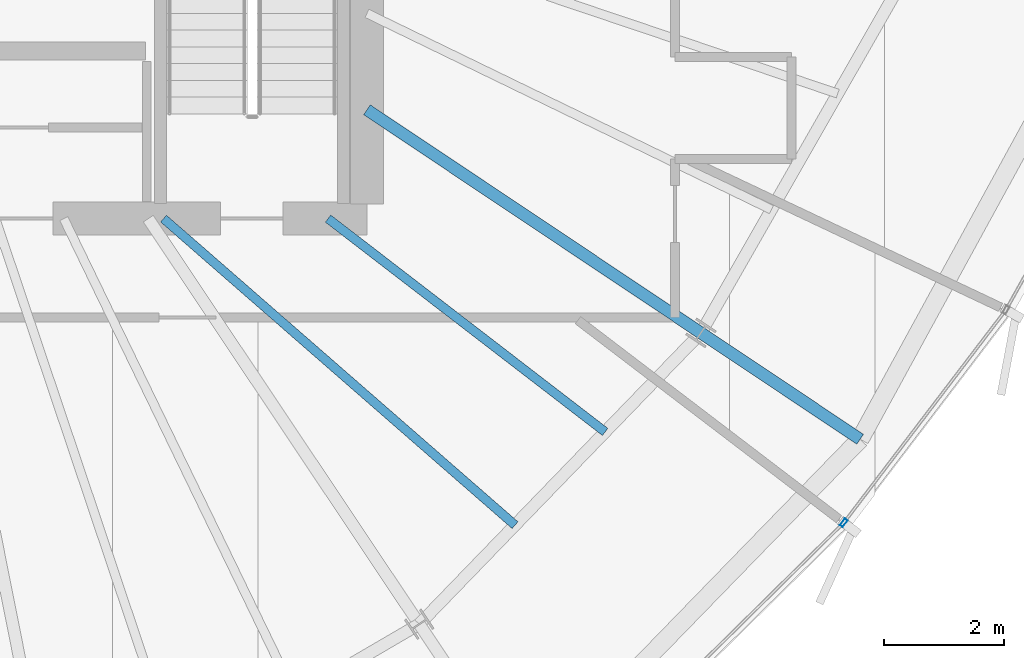
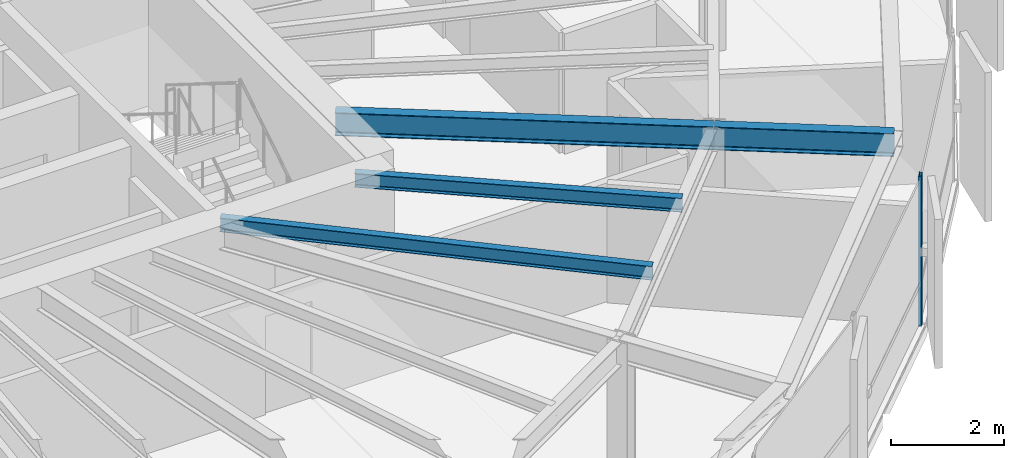
# One storey, part 15 of 36: 4 beams, 1 member, 1 element without a shape of its own.
"""IFC4 building model written with IfcOpenShell, lengths in metres."""

from ifc_helpers import new_model, si_unit, direction, frame, origin, origin_2d, place, context, subcontext, project, spatial, hollow_rectangle, i_section, extrude, source, transform, mapped, material, layer, layer_set, material_profile, profile_set, type_object, element, aggregate, save


model = new_model("IFC4")

# Units and contexts
model_context = context("Model", 3, precision=1e-05, world=origin(), true_north=direction((0.0, 1.0)))
body_context = subcontext(model_context, "Body", "Model", "MODEL_VIEW")
ifc_project = project(units=[si_unit("LENGTHUNIT", "METRE"), si_unit("AREAUNIT", "SQUARE_METRE"), si_unit("VOLUMEUNIT", "CUBIC_METRE"), si_unit("PLANEANGLEUNIT", "RADIAN"), si_unit("MASSUNIT", "GRAM", prefix="KILO"), si_unit("THERMODYNAMICTEMPERATUREUNIT", "KELVIN")], contexts=[model_context])

# Site, building, storey
site_placement = place(None, origin())
site = spatial("IfcSite", under=ifc_project, at=site_placement, CompositionType="ELEMENT")
building_placement = place(site_placement, origin())
building = spatial("IfcBuilding", under=site, at=building_placement, Name="Kethvar Cultural Tower", CompositionType="ELEMENT")
storey_placement = place(building_placement, frame((0.0, 0.0, 197.39990234375)))
storey = spatial("IfcBuildingStorey", under=building, at=storey_placement, Name="L51", CompositionType="ELEMENT", Elevation=197.39990234375)

# Beams
ifc_material_1 = material(Name="Steel S355J2", Category="steel")
ifc_material_profile_1 = material_profile(ifc_material_1, i_section(OverallWidth=0.199951171875, OverallDepth=0.5, WebThickness=0.01025390625, FlangeThickness=0.01611328125, FilletRadius=0.02099609375, at=origin_2d()), Name="Steel S355J2 — IPE500")
ifc_profile_set_1 = profile_set([ifc_material_profile_1], Name="Steel S355J2 — IPE500")
beam_type_1 = type_object("IfcBeamType", Name="BM-IPE500", PredefinedType="BEAM", material=ifc_profile_set_1)
shared_shape_1 = source(origin(), body_context, "Body", "SweptSolid", [
    extrude(i_section(OverallWidth=0.199951171875, OverallDepth=0.5, WebThickness=0.01025390625, FlangeThickness=0.01611328125, FilletRadius=0.02099609375, at=origin_2d()), origin(), (0.0, 0.0, 1.0), 3.199951171875),
])
beam_1_placement = place(storey_placement, frame((61.1826171875, 18.18994140625, 3.008056640625), z_axis=(0.831462943996, -0.555580212716, 0.0), x_axis=(0.555580212716, 0.831462943996, 0.0)))
element("IfcBeam", 1, at=beam_1_placement, inside=storey, type_object=beam_type_1, Name="L51 Perimeter Cantilever Beam RC-15", PredefinedType="BEAM", context=body_context, shape_type="MappedRepresentation", body=[
    mapped(shared_shape_1, transform((0.0, 0.0, 0.0), scale=1.0)),
])
shared_shape_2 = source(origin(), body_context, "Body", "SweptSolid", [
    extrude(i_section(OverallWidth=0.199951171875, OverallDepth=0.5, WebThickness=0.01025390625, FlangeThickness=0.01611328125, FilletRadius=0.02099609375, at=origin_2d()), origin(), (0.0, 0.0, 1.0), 6.7138671875),
])
beam_2_placement = place(storey_placement, frame((55.60009765625, 21.919921875, 3.008056640625), z_axis=(0.831479232731, -0.555555834762, 0.0), x_axis=(0.555555834762, 0.831479232731, 0.0)))
element("IfcBeam", 2, at=beam_2_placement, inside=storey, type_object=beam_type_1, Name="L51 Primary Radial Beam RB-15", PredefinedType="BEAM", context=body_context, shape_type="MappedRepresentation", body=[
    mapped(shared_shape_2, transform((0.0, 0.0, 0.0), scale=1.0)),
])
ifc_material_profile_2 = material_profile(ifc_material_1, i_section(OverallWidth=0.14990234375, OverallDepth=0.300048828125, WebThickness=0.007080078125, FlangeThickness=0.0107421875, FilletRadius=0.014892578125, at=origin_2d()), Name="Steel S355J2 — IPE300")
ifc_profile_set_2 = profile_set([ifc_material_profile_2], Name="Steel S355J2 — IPE300")
beam_type_2 = type_object("IfcBeamType", Name="BM-J300", PredefinedType="JOIST", material=ifc_profile_set_2)
shared_shape_3 = source(origin(), body_context, "Body", "SweptSolid", [
    extrude(i_section(OverallWidth=0.14990234375, OverallDepth=0.300048828125, WebThickness=0.007080078125, FlangeThickness=0.0107421875, FilletRadius=0.014892578125, at=origin_2d()), origin(), (0.0, 0.0, 1.0), 7.7958984375),
])
beam_3_placement = place(storey_placement, frame((52.199951171875, 20.10009765625, 3.108154296875), z_axis=(0.753673681644, -0.657248797335, 0.0), x_axis=(0.657248797335, 0.753673681644, 0.0)))
element("IfcBeam", 3, at=beam_3_placement, inside=storey, type_object=beam_type_2, Name="L51 Composite Floor Joist J-14A", PredefinedType="JOIST", context=body_context, shape_type="MappedRepresentation", body=[
    mapped(shared_shape_3, transform((0.0, 0.0, 0.0), scale=1.0)),
])
shared_shape_4 = source(origin(), body_context, "Body", "SweptSolid", [
    extrude(i_section(OverallWidth=0.14990234375, OverallDepth=0.300048828125, WebThickness=0.007080078125, FlangeThickness=0.0107421875, FilletRadius=0.014892578125, at=origin_2d()), origin(), (0.0, 0.0, 1.0), 5.84521484375),
])
beam_4_placement = place(storey_placement, frame((54.949951171875, 20.10009765625, 3.108154296875), z_axis=(0.792398798307, -0.610003397073, 0.0), x_axis=(0.610003397073, 0.792398798307, 0.0)))
element("IfcBeam", 4, at=beam_4_placement, inside=storey, type_object=beam_type_2, Name="L51 Composite Floor Joist J-14B", PredefinedType="JOIST", context=body_context, shape_type="MappedRepresentation", body=[
    mapped(shared_shape_4, transform((0.0, 0.0, 0.0), scale=1.0)),
])

# Curtain wall, member
ifc_material_2 = material(Name="Aluminium 6063-T6", Category="aluminium")
ifc_layer = layer(ifc_material_2, 0.179931640625, Name="Aluminium 6063-T6", Category="aluminium")
ifc_layer_set = layer_set([ifc_layer], Name="Aluminium 6063-T6 (180 mm)")
curtain_wall_type = type_object("IfcCurtainWallType", Name="CW-SYS-04-Z34", PredefinedType="NOTDEFINED", material=ifc_layer_set)
curtain_wall_placement = place(storey_placement, origin())
curtain_wall = element("IfcCurtainWall", 5, at=curtain_wall_placement, inside=storey, type_object=curtain_wall_type, Name="L51 Curtain Wall Run 05", PredefinedType="NOTDEFINED")
ifc_material_profile_3 = material_profile(ifc_material_2, hollow_rectangle(XDim=0.06005859375, YDim=0.139892578125, WallThickness=0.0048828125, at=origin_2d()), Name="Aluminium 6063-T6 — RHS140x60x5")
ifc_profile_set_3 = profile_set([ifc_material_profile_3], Name="Aluminium 6063-T6 — RHS140x60x5")
member_type = type_object("IfcMemberType", Name="CW-SYS-04-Z34-MUL", PredefinedType="MULLION", material=ifc_profile_set_3)
shared_shape_5 = source(origin(), body_context, "Body", "SweptSolid", [
    extrude(hollow_rectangle(XDim=0.06005859375, YDim=0.139892578125, WallThickness=0.0048828125, at=origin_2d()), origin(), (0.0, 0.0, 1.0), 3.260009765625),
])
member_placement = place(storey_placement, frame((63.569580078125, 15.01513671875, 0.0), z_axis=(0.0, 0.0, 1.0), x_axis=(-0.79552636029, 0.605918979802, 0.0)))
member = element("IfcMember", 6, at=member_placement, type_object=member_type, Name="CW-L51-R05 Mullion 5", PredefinedType="MULLION", context=body_context, shape_type="MappedRepresentation", body=[
    mapped(shared_shape_5, transform((0.0, 0.0, 0.0), scale=1.0)),
])
aggregate(curtain_wall, [member])

save(model, "model.ifc")
